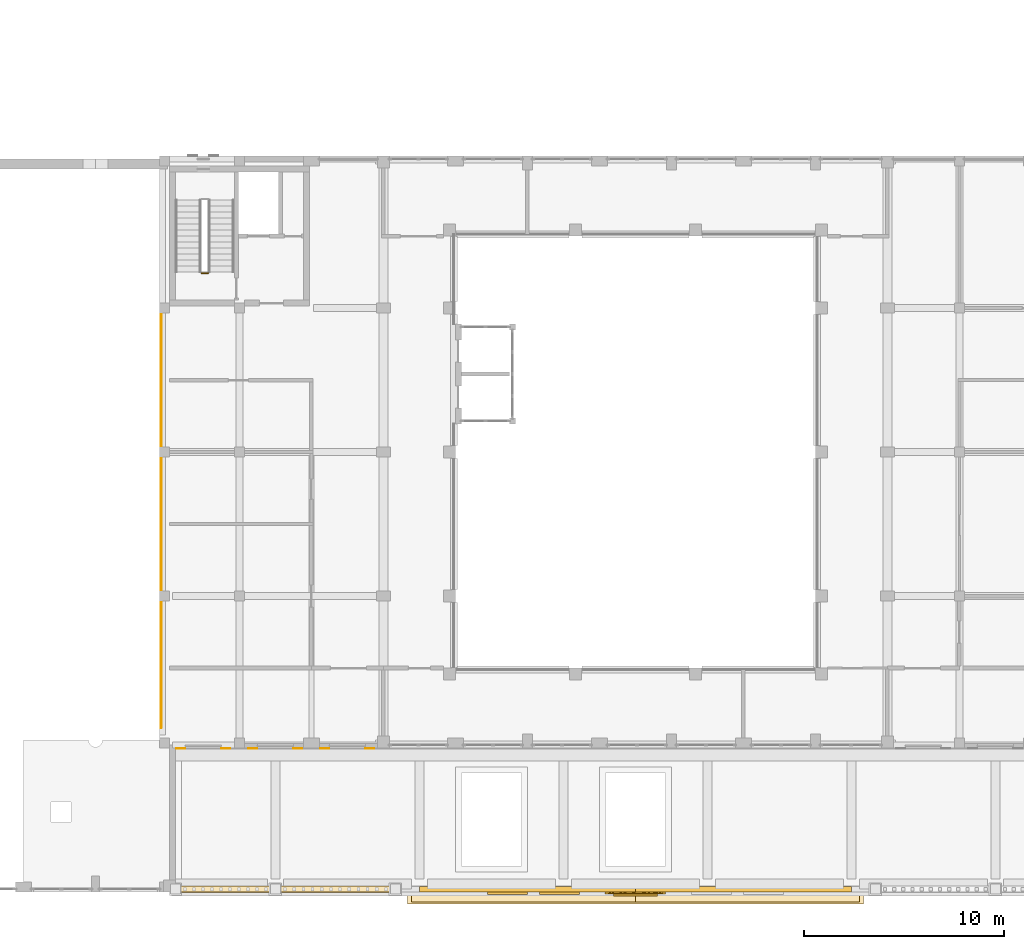
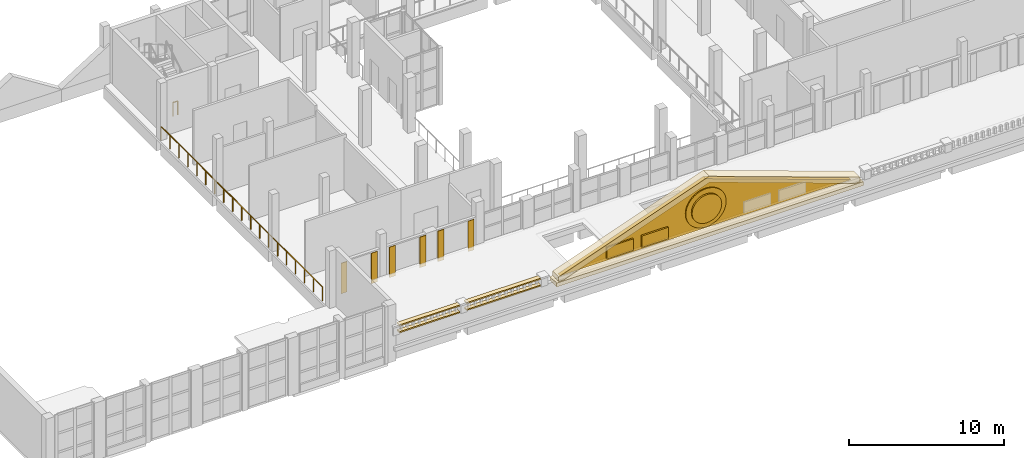
# One storey, part 34 of 58: 11 coverings, 6 shading devices, 2 railings.
"""IFC4 building model written with IfcOpenShell, lengths in metres."""

from ifc_helpers import new_model, si_unit, direction, frame, origin, origin_2d, place, context, subcontext, project, spatial, polyline, rectangle, circle, outline, extrude, material, layer, layer_set, type_object, element, save


model = new_model("IFC4")

# Units and contexts
model_context = context("Model", 3, precision=1e-05, world=origin(), true_north=direction((0.0, 1.0)))
body_context = subcontext(model_context, "Body", "Model", "MODEL_VIEW")
ifc_project = project(units=[si_unit("LENGTHUNIT", "METRE"), si_unit("AREAUNIT", "SQUARE_METRE"), si_unit("VOLUMEUNIT", "CUBIC_METRE"), si_unit("PLANEANGLEUNIT", "RADIAN"), si_unit("MASSUNIT", "GRAM", prefix="KILO")], contexts=[model_context])

# Site, building, storey
site_placement = place(None, origin())
site = spatial("IfcSite", under=ifc_project, at=site_placement, CompositionType="ELEMENT")
building_placement = place(site_placement, origin())
building = spatial("IfcBuilding", under=site, at=building_placement, Name="Ussher Court Research Institute", CompositionType="ELEMENT")
storey_placement = place(building_placement, frame((0.0, 0.0, 9.89990234375)))
storey = spatial("IfcBuildingStorey", under=building, at=storey_placement, Name="L02", CompositionType="ELEMENT", Elevation=9.89990234375)

# Coverings
ifc_material_1 = material(Name="Limestone cornice", Category="masonry")
covering_type_1 = type_object("IfcCoveringType", Name="Balustrade base rail 300x100", PredefinedType="CLADDING", material=ifc_material_1)
covering_1_placement = place(storey_placement, frame((31.10009765625, 3.739990234375, 2.10009765625), z_axis=(0.0, 0.0, 1.0), x_axis=(1.0, 0.0, 0.0)))
element("IfcCovering", 1, at=covering_1_placement, inside=storey, type_object=covering_type_1, Name="Balustrade base rail CC29", PredefinedType="CLADDING", context=body_context, shape_type="SweptSolid", body=[
    extrude(rectangle(XDim=4.5, YDim=0.300048828125, at=origin_2d()), origin(), (0.0, 0.0, 1.0), 0.10009765625),
])
covering_2_placement = place(storey_placement, frame((36.60009765625, 3.739990234375, 2.10009765625), z_axis=(0.0, 0.0, 1.0), x_axis=(1.0, 0.0, 0.0)))
element("IfcCovering", 2, at=covering_2_placement, inside=storey, type_object=covering_type_1, Name="Balustrade base rail CC29", PredefinedType="CLADDING", context=body_context, shape_type="SweptSolid", body=[
    extrude(rectangle(XDim=5.5, YDim=0.300048828125, at=origin_2d()), origin(), (0.0, 0.0, 1.0), 0.10009765625),
])
ifc_material_2 = material(Name="Limestone cornice", Category="masonry")
covering_type_2 = type_object("IfcCoveringType", Name="Balustrade coping 340x100", PredefinedType="CLADDING", material=ifc_material_2)
covering_3_placement = place(storey_placement, frame((31.10009765625, 3.739990234375, 2.650146484375), z_axis=(0.0, 0.0, 1.0), x_axis=(1.0, 0.0, 0.0)))
element("IfcCovering", 3, at=covering_3_placement, inside=storey, type_object=covering_type_2, Name="Balustrade coping CC30", PredefinedType="CLADDING", context=body_context, shape_type="SweptSolid", body=[
    extrude(rectangle(XDim=4.5, YDim=0.340087890625, at=origin_2d()), origin(), (0.0, 0.0, 1.0), 0.10009765625),
])
covering_4_placement = place(storey_placement, frame((36.60009765625, 3.739990234375, 2.650146484375), z_axis=(0.0, 0.0, 1.0), x_axis=(1.0, 0.0, 0.0)))
element("IfcCovering", 4, at=covering_4_placement, inside=storey, type_object=covering_type_2, Name="Balustrade coping CC30", PredefinedType="CLADDING", context=body_context, shape_type="SweptSolid", body=[
    extrude(rectangle(XDim=5.5, YDim=0.340087890625, at=origin_2d()), origin(), (0.0, 0.0, 1.0), 0.10009765625),
])

# Railing
ifc_material_3 = material(Name="Painted steel balustrade", Category="steel")
railing_type_1 = type_object("IfcRailingType", Name="Gallery guard 1100 steel balustrade", PredefinedType="GUARDRAIL", material=ifc_material_3)
railing_1_placement = place(storey_placement, frame((27.8798828125, 11.803466796875, 0.0)))
element("IfcRailing", 5, at=railing_1_placement, inside=storey, type_object=railing_type_1, Name="L02 Gallery guard", PredefinedType="GUARDRAIL", context=body_context, shape_type="SweptSolid", body=[
    extrude(circle(Radius=0.02392578125, at=origin_2d()), frame((0.0, 0.0, 1.076171875), z_axis=(0.0, 1.0, 0.0), x_axis=(-1.0, 0.0, 0.0)), (0.0, 0.0, 1.0), 20.8203125),
    extrude(circle(Radius=0.02099609375, at=origin_2d()), origin(), (0.0, 0.0, 1.0), 1.052001953125),
    extrude(circle(Radius=0.02099609375, at=origin_2d()), frame((0.0, 1.15673828125, 0.0)), (0.0, 0.0, 1.0), 1.052001953125),
    extrude(circle(Radius=0.02099609375, at=origin_2d()), frame((0.0, 2.3134765625, 0.0)), (0.0, 0.0, 1.0), 1.052001953125),
    extrude(circle(Radius=0.02099609375, at=origin_2d()), frame((0.0, 3.469970703125, 0.0)), (0.0, 0.0, 1.0), 1.052001953125),
    extrude(circle(Radius=0.02099609375, at=origin_2d()), frame((0.0, 4.626708984375, 0.0)), (0.0, 0.0, 1.0), 1.052001953125),
    extrude(circle(Radius=0.02099609375, at=origin_2d()), frame((0.0, 5.783447265625, 0.0)), (0.0, 0.0, 1.0), 1.052001953125),
    extrude(circle(Radius=0.02099609375, at=origin_2d()), frame((0.0, 6.940185546875, 0.0)), (0.0, 0.0, 1.0), 1.052001953125),
    extrude(circle(Radius=0.02099609375, at=origin_2d()), frame((0.0, 8.0966796875, 0.0)), (0.0, 0.0, 1.0), 1.052001953125),
    extrude(circle(Radius=0.02099609375, at=origin_2d()), frame((0.0, 9.25341796875, 0.0)), (0.0, 0.0, 1.0), 1.052001953125),
    extrude(circle(Radius=0.02099609375, at=origin_2d()), frame((0.0, 10.41015625, 0.0)), (0.0, 0.0, 1.0), 1.052001953125),
    extrude(circle(Radius=0.02099609375, at=origin_2d()), frame((0.0, 11.56689453125, 0.0)), (0.0, 0.0, 1.0), 1.052001953125),
    extrude(circle(Radius=0.02099609375, at=origin_2d()), frame((0.0, 12.7236328125, 0.0)), (0.0, 0.0, 1.0), 1.052001953125),
    extrude(circle(Radius=0.02099609375, at=origin_2d()), frame((0.0, 13.880126953125, 0.0)), (0.0, 0.0, 1.0), 1.052001953125),
    extrude(circle(Radius=0.02099609375, at=origin_2d()), frame((0.0, 15.036865234375, 0.0)), (0.0, 0.0, 1.0), 1.052001953125),
    extrude(circle(Radius=0.02099609375, at=origin_2d()), frame((0.0, 16.193603515625, 0.0)), (0.0, 0.0, 1.0), 1.052001953125),
    extrude(circle(Radius=0.02099609375, at=origin_2d()), frame((0.0, 17.350341796875, 0.0)), (0.0, 0.0, 1.0), 1.052001953125),
    extrude(circle(Radius=0.02099609375, at=origin_2d()), frame((0.0, 18.5068359375, 0.0)), (0.0, 0.0, 1.0), 1.052001953125),
    extrude(circle(Radius=0.02099609375, at=origin_2d()), frame((0.0, 19.66357421875, 0.0)), (0.0, 0.0, 1.0), 1.052001953125),
    extrude(circle(Radius=0.02099609375, at=origin_2d()), frame((0.0, 20.8203125, 0.0)), (0.0, 0.0, 1.0), 1.052001953125),
])

# Shading devices
ifc_material_4 = material(Name="Timber louvred shutter", Category="wood")
ifc_layer = layer(ifc_material_4, 0.0400390625)
ifc_layer_set = layer_set([ifc_layer], Name="Timber louvred shutter")
shading_device_type = type_object("IfcShadingDeviceType", Name="Louvred shutter leaf 450x2400", PredefinedType="USERDEFINED", material=ifc_layer_set)
for number, where, z_axis, x_axis, name in (
    (6, (38.324951171875, 10.780029296875, 0.900146484375), (0.0, 0.0, 1.0), (-1.0, 0.0, 0.0), "Shutter LV2 L02"),
    (7, (36.074951171875, 10.780029296875, 0.900146484375), (0.0, 0.0, 1.0), (-1.0, 0.0, 0.0), "Shutter LV2 L02"),
    (8, (34.72509765625, 10.780029296875, 0.900146484375), (0.0, 0.0, 1.0), (-1.0, 0.0, 0.0), "Shutter LV2 L02"),
    (9, (32.47509765625, 10.780029296875, 0.900146484375), (0.0, 0.0, 1.0), (-1.0, 0.0, 0.0), "Shutter LV2 L02"),
    (10, (31.125, 10.780029296875, 0.900146484375), (0.0, 0.0, 1.0), (-1.0, 0.0, 0.0), "Shutter LV2 L02"),
    (11, (28.875, 10.780029296875, 0.900146484375), (0.0, 0.0, 1.0), (-1.0, 0.0, 0.0), "Shutter LV2 L02"),
):
    element("IfcShadingDevice", number, at=place(storey_placement, frame(where, z_axis=z_axis, x_axis=x_axis)), inside=storey, type_object=shading_device_type, Name=name, ObjectType="SHUTTER", PredefinedType="USERDEFINED", context=body_context, shape_type="SweptSolid", body=[
        extrude(rectangle(XDim=0.449951171875, YDim=0.0400390625, at=origin_2d()), origin(), (0.0, 0.0, 1.0), 2.39990234375),
    ])

# Coverings
ifc_material_5 = material(Name="Limestone cornice", Category="masonry")
covering_type_3 = type_object("IfcCoveringType", Name="Pediment geison 300x600", PredefinedType="CLADDING", material=ifc_material_5)
covering_5_placement = place(storey_placement, frame((51.60009765625, 3.43994140625, 2.10009765625), z_axis=(0.0, 0.0, 1.0), x_axis=(1.0, 0.0, 0.0)))
element("IfcCovering", 12, at=covering_5_placement, inside=storey, type_object=covering_type_3, Name="Pediment geison CC35", PredefinedType="CLADDING", context=body_context, shape_type="SweptSolid", body=[
    extrude(rectangle(XDim=22.800048828125, YDim=0.8798828125, at=origin_2d()), origin(), (0.0, 0.0, 1.0), 0.300048828125),
])
ifc_material_6 = material(Name="Limestone cornice", Category="masonry")
covering_type_4 = type_object("IfcCoveringType", Name="Pediment raking cornice 500", PredefinedType="CLADDING", material=ifc_material_6)
covering_6_placement = place(storey_placement, frame((51.60009765625, 3.10009765625, 2.400146484375), z_axis=(0.0, 1.0, 0.0), x_axis=(-1.0, 0.0, 0.0)))
element("IfcCovering", 13, at=covering_6_placement, inside=storey, type_object=covering_type_4, Name="Pediment raking cornice CC34", PredefinedType="CLADDING", context=body_context, shape_type="SweptSolid", body=[
    extrude(outline(polyline([(11.199951171875, 0.0), (11.199951171875, 0.357177734375), (0.0, 4.357177734375), (-11.199951171875, 0.357177734375), (-11.199951171875, 0.0), (-10.800048828125, 0.0), (0.0, 3.857177734375), (10.800048828125, 0.0), (11.199951171875, 0.0)])), origin(), (0.0, 0.0, 1.0), 0.77978515625),
])
ifc_material_7 = material(Name="Limestone cornice", Category="masonry")
covering_type_5 = type_object("IfcCoveringType", Name="Pediment tympanum 21600x3857", PredefinedType="CLADDING", material=ifc_material_7)
covering_7_placement = place(storey_placement, frame((51.60009765625, 3.60009765625, 2.400146484375), z_axis=(0.0, 1.0, 0.0), x_axis=(-1.0, 0.0, 0.0)))
element("IfcCovering", 14, at=covering_7_placement, inside=storey, type_object=covering_type_5, Name="Pediment tympanum CC33", PredefinedType="CLADDING", context=body_context, shape_type="SweptSolid", body=[
    extrude(outline(polyline([(10.800048828125, 0.0), (0.0, 3.857177734375), (-10.800048828125, 0.0), (10.800048828125, 0.0)])), origin(), (0.0, 0.0, 1.0), 0.27978515625),
])

# Railing
ifc_material_8 = material(Name="Painted steel balustrade", Category="steel")
railing_type_2 = type_object("IfcRailingType", Name="Stair guard 1100 steel balustrade", PredefinedType="GUARDRAIL", material=ifc_material_8)
railing_2_placement = place(storey_placement, frame((30.25, 34.550048828125, 0.0)))
element("IfcRailing", 15, at=railing_2_placement, inside=storey, type_object=railing_type_2, Name="L02 W1 stair guard 4", PredefinedType="GUARDRAIL", context=body_context, shape_type="SweptSolid", body=[
    extrude(circle(Radius=0.02392578125, at=origin_2d()), frame((0.0, 0.0, 1.076171875), z_axis=(-1.0, 0.0, 0.0), x_axis=(0.0, -1.0, 0.0)), (0.0, 0.0, 1.0), 0.35009765625),
    extrude(circle(Radius=0.02099609375, at=origin_2d()), origin(), (0.0, 0.0, 1.0), 1.052001953125),
    extrude(circle(Radius=0.02099609375, at=origin_2d()), frame((-0.35009765625, 0.0, 0.0)), (0.0, 0.0, 1.0), 1.052001953125),
])

# Coverings
ifc_material_9 = material(Name="Limestone cornice", Category="masonry")
covering_type_6 = type_object("IfcCoveringType", Name="Tympanum relief panel 2000x900", PredefinedType="CLADDING", material=ifc_material_9)
for number, where, z_axis, x_axis, name in (
    (16, (47.800048828125, 3.5400390625, 2.60009765625), (0.0, 0.0, 1.0), (1.0, 0.0, 0.0), "Tympanum relief panel CC36"),
    (17, (45.199951171875, 3.5400390625, 2.60009765625), (0.0, 0.0, 1.0), (1.0, 0.0, 0.0), "Tympanum relief panel CC36"),
):
    element("IfcCovering", number, at=place(storey_placement, frame(where, z_axis=z_axis, x_axis=x_axis)), inside=storey, type_object=covering_type_6, Name=name, PredefinedType="CLADDING", context=body_context, shape_type="SweptSolid", body=[
        extrude(rectangle(XDim=2.0, YDim=0.1201171875, at=origin_2d()), origin(), (0.0, 0.0, 1.0), 0.89990234375),
    ])
ifc_material_10 = material(Name="Limestone cornice", Category="masonry")
covering_type_7 = type_object("IfcCoveringType", Name="Tympanum roundel boss 2200", PredefinedType="CLADDING", material=ifc_material_10)
covering_8_placement = place(storey_placement, frame((51.60009765625, 3.39990234375, 2.400146484375), z_axis=(0.0, 1.0, 0.0), x_axis=(-1.0, 0.0, 0.0)))
element("IfcCovering", 18, at=covering_8_placement, inside=storey, type_object=covering_type_7, Name="Tympanum roundel boss CC38", PredefinedType="CLADDING", context=body_context, shape_type="SweptSolid", body=[
    extrude(outline(polyline([(1.10009765625, 1.6201171875), (1.090576171875, 1.763671875), (1.0625, 1.90478515625), (1.016357421875, 2.041015625), (0.95263671875, 2.169921875), (0.872802734375, 2.28955078125), (0.77783203125, 2.397705078125), (0.669677734375, 2.49267578125), (0.550048828125, 2.572509765625), (0.4208984375, 2.63623046875), (0.28466796875, 2.6826171875), (0.1435546875, 2.710693359375), (0.0, 2.719970703125), (-0.1435546875, 2.710693359375), (-0.28466796875, 2.6826171875), (-0.4208984375, 2.63623046875), (-0.550048828125, 2.572509765625), (-0.669677734375, 2.49267578125), (-0.77783203125, 2.397705078125), (-0.872802734375, 2.28955078125), (-0.95263671875, 2.169921875), (-1.016357421875, 2.041015625), (-1.0625, 1.90478515625), (-1.090576171875, 1.763671875), (-1.10009765625, 1.6201171875), (-1.090576171875, 1.476318359375), (-1.0625, 1.335205078125), (-1.016357421875, 1.198974609375), (-0.95263671875, 1.070068359375), (-0.872802734375, 0.9501953125), (-0.77783203125, 0.84228515625), (-0.669677734375, 0.747314453125), (-0.550048828125, 0.66748046875), (-0.4208984375, 0.603759765625), (-0.28466796875, 0.5576171875), (-0.1435546875, 0.529296875), (0.0, 0.52001953125), (0.1435546875, 0.529296875), (0.28466796875, 0.5576171875), (0.4208984375, 0.603759765625), (0.550048828125, 0.66748046875), (0.669677734375, 0.747314453125), (0.77783203125, 0.84228515625), (0.872802734375, 0.9501953125), (0.95263671875, 1.070068359375), (1.016357421875, 1.198974609375), (1.0625, 1.335205078125), (1.090576171875, 1.476318359375), (1.10009765625, 1.6201171875)])), origin(), (0.0, 0.0, 1.0), 0.1201171875),
])
ifc_material_11 = material(Name="Limestone cornice", Category="masonry")
covering_type_8 = type_object("IfcCoveringType", Name="Tympanum roundel moulding 3000", PredefinedType="CLADDING", material=ifc_material_11)
covering_9_placement = place(storey_placement, frame((51.60009765625, 3.52001953125, 2.400146484375), z_axis=(0.0, 1.0, 0.0), x_axis=(-1.0, 0.0, 0.0)))
element("IfcCovering", 19, at=covering_9_placement, inside=storey, type_object=covering_type_8, Name="Tympanum roundel moulding CC37", PredefinedType="CLADDING", context=body_context, shape_type="SweptSolid", body=[
    extrude(outline(polyline([(1.5, 1.6201171875), (1.4873046875, 1.81591796875), (1.448974609375, 2.00830078125), (1.3857421875, 2.194091796875), (1.299072265625, 2.3701171875), (1.18994140625, 2.533203125), (1.060791015625, 2.6806640625), (0.9130859375, 2.81005859375), (0.75, 2.9189453125), (0.573974609375, 3.005859375), (0.38818359375, 3.06884765625), (0.19580078125, 3.107177734375), (0.0, 3.1201171875), (-0.19580078125, 3.107177734375), (-0.38818359375, 3.06884765625), (-0.573974609375, 3.005859375), (-0.75, 2.9189453125), (-0.9130859375, 2.81005859375), (-1.060791015625, 2.6806640625), (-1.18994140625, 2.533203125), (-1.299072265625, 2.3701171875), (-1.3857421875, 2.194091796875), (-1.448974609375, 2.00830078125), (-1.4873046875, 1.81591796875), (-1.5, 1.6201171875), (-1.4873046875, 1.42431640625), (-1.448974609375, 1.231689453125), (-1.3857421875, 1.0458984375), (-1.299072265625, 0.8701171875), (-1.18994140625, 0.706787109375), (-1.060791015625, 0.559326171875), (-0.9130859375, 0.429931640625), (-0.75, 0.32080078125), (-0.573974609375, 0.234130859375), (-0.38818359375, 0.171142578125), (-0.19580078125, 0.1328125), (0.0, 0.1201171875), (0.19580078125, 0.1328125), (0.38818359375, 0.171142578125), (0.573974609375, 0.234130859375), (0.75, 0.32080078125), (0.9130859375, 0.429931640625), (1.060791015625, 0.559326171875), (1.18994140625, 0.706787109375), (1.299072265625, 0.8701171875), (1.3857421875, 1.0458984375), (1.448974609375, 1.231689453125), (1.4873046875, 1.42431640625), (1.5, 1.6201171875)])), origin(), (0.0, 0.0, 1.0), 0.080078125),
])

save(model, "model.ifc")
